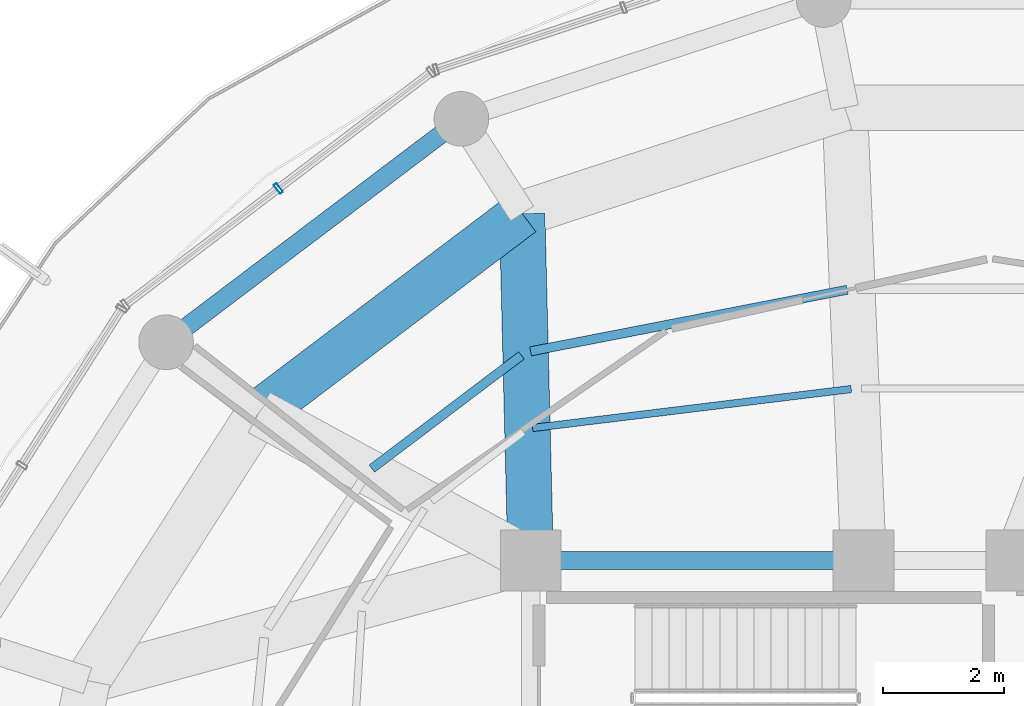
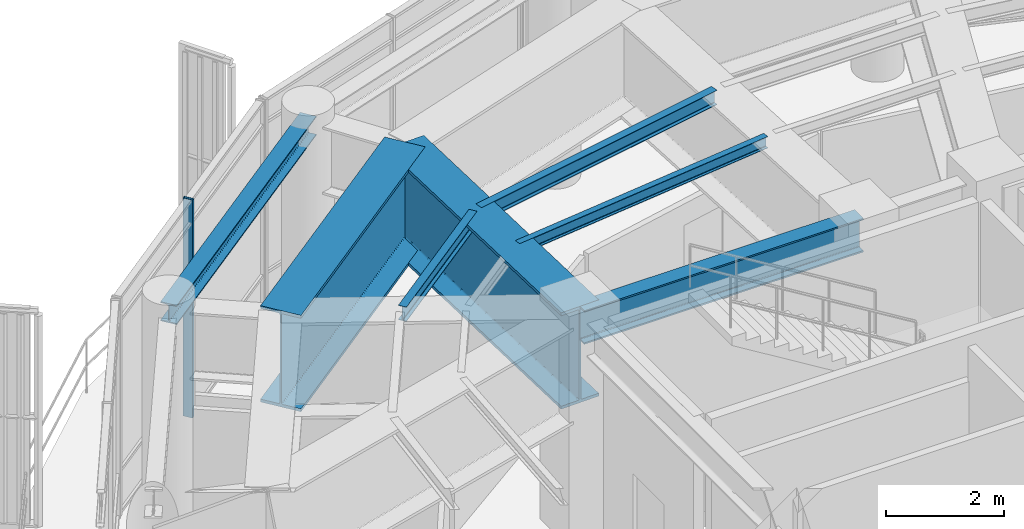
# One storey, part 9 of 23: 7 beams, 1 member, 1 element without a shape of its own.
"""IFC4 building model written with IfcOpenShell, lengths in metres."""

import ifcopenshell
import ifcopenshell.guid

model = None  # the IFC model being written
_history = None  # IfcOwnerHistory: only IFC2X3 demands one
_inside = {}  # id of a spatial element -> (the spatial element, [elements in it])
_under = {}  # id of a project, library or spatial element -> (it, [spatial elements below it])
_declared = {}  # id of a project -> (the project, [libraries it declares])
_typed = {}  # id of a type object -> (the type object, [elements of that type])
_made_of = {}  # id of a material, layer set ... -> (it, [elements and type objects made of it])


def new_model(schema):
    """Start an empty IFC model of exactly this schema.

    Asked for "IFC4X3", IfcOpenShell would pick the latest addendum, in which some entities
    have other attributes; the version numbers below select the first issue.
    IFC2X3 requires an IfcOwnerHistory on every rooted entity: one is made here for all.
    """
    global model, _history
    if schema == "IFC4X3":
        model = ifcopenshell.file(schema_version=(4, 3, 0, 0))
    else:
        model = ifcopenshell.file(schema=schema)
    _inside.clear()
    _under.clear()
    _declared.clear()
    _typed.clear()
    _made_of.clear()
    _history = None
    if model.schema == "IFC2X3":
        org = make("IfcOrganization", Name="unknown")
        user = make(
            "IfcPersonAndOrganization",
            ThePerson=make("IfcPerson", FamilyName="unknown"),
            TheOrganization=org,
        )
        app = make(
            "IfcApplication",
            ApplicationDeveloper=org,
            Version="unknown",
            ApplicationFullName="unknown",
            ApplicationIdentifier="unknown",
        )
        _history = make(
            "IfcOwnerHistory",
            OwningUser=user,
            OwningApplication=app,
            ChangeAction="ADDED",
            CreationDate=0,
        )
    return model


def make(cls, **values):
    """One entity of the class cls with the attributes given. An attribute that is None is left unset."""
    return model.create_entity(
        cls, **{name: value for name, value in values.items() if value is not None}
    )


def rooted(cls, **values):
    """An entity with a GlobalId (a new one), such as an element, a storey or a relation."""
    return make(cls, GlobalId=ifcopenshell.guid.new(), OwnerHistory=_history, **values)


def si_unit(unit_type, name, prefix=None):
    """IfcSIUnit, for example si_unit("LENGTHUNIT", "METRE", prefix="MILLI")."""
    return make("IfcSIUnit", UnitType=unit_type, Prefix=prefix, Name=name)


def assignment(units):
    """IfcUnitAssignment: the units of a project."""
    return None if units is None else make("IfcUnitAssignment", Units=units)


def point(xyz):
    """IfcCartesianPoint."""
    return None if xyz is None else make("IfcCartesianPoint", Coordinates=xyz)


def direction(xyz):
    """IfcDirection."""
    return None if xyz is None else make("IfcDirection", DirectionRatios=xyz)


def frame(location, z_axis=None, x_axis=None):
    """IfcAxis2Placement3D, a coordinate frame: its origin and axes. An axis left out is left unset."""
    return make(
        "IfcAxis2Placement3D",
        Location=point(location),
        Axis=direction(z_axis),
        RefDirection=direction(x_axis),
    )


def frame_2d(location, x_axis=None):
    """IfcAxis2Placement2D, a coordinate frame in the plane: its origin and x axis."""
    return make(
        "IfcAxis2Placement2D", Location=point(location), RefDirection=direction(x_axis)
    )


def origin():
    """The frame at (0, 0, 0) with its axes left unset."""
    return frame((0.0, 0.0, 0.0))


def origin_2d():
    """The frame at (0, 0) in the plane with its x axis left unset."""
    return frame_2d((0.0, 0.0))


def place(relative_to, where):
    """IfcLocalPlacement: puts the frame where relative to a parent placement (None: the world)."""
    return make(
        "IfcLocalPlacement", PlacementRelTo=relative_to, RelativePlacement=where
    )


def context(
    kind, dimensions, precision=None, world=None, true_north=None, identifier=None
):
    """IfcGeometricRepresentationContext, for example the 3D "Model" context."""
    return make(
        "IfcGeometricRepresentationContext",
        ContextIdentifier=identifier,
        ContextType=kind,
        CoordinateSpaceDimension=dimensions,
        Precision=precision,
        WorldCoordinateSystem=world,
        TrueNorth=true_north,
    )


def subcontext(parent, identifier, kind, view, scale=None):
    """IfcGeometricRepresentationSubContext, for example "Body" below "Model"."""
    return make(
        "IfcGeometricRepresentationSubContext",
        ContextIdentifier=identifier,
        ContextType=kind,
        ParentContext=parent,
        TargetScale=scale,
        TargetView=view,
    )


def project(units=None, contexts=None):
    """IfcProject with its units and contexts."""
    return rooted(
        "IfcProject",
        Name="project",
        RepresentationContexts=contexts,
        UnitsInContext=assignment(units),
    )


def spatial(cls, under=None, at=None, **own):
    """A site, building, storey or space (cls), placed at a placement, below another one or the project."""
    s = rooted(cls, ObjectPlacement=at, **own)
    if under is not None:
        _under.setdefault(under.id(), (under, []))[1].append(s)
    return s


def profile(cls, at=None, kind="AREA", **sizes):
    """A parametric profile (cls). Its sizes go by their IFC names, for example OverallWidth=200.0."""
    return make(cls, ProfileType=kind, Position=at, **sizes)


def hollow_rectangle(**sizes):
    """IfcRectangleHollowProfileDef."""
    return profile("IfcRectangleHollowProfileDef", **sizes)


def i_section(**sizes):
    """IfcIShapeProfileDef."""
    return profile("IfcIShapeProfileDef", **sizes)


def extrude(swept, where, along, depth):
    """IfcExtrudedAreaSolid: the profile swept, set in the frame where, extruded along a direction by depth."""
    return make(
        "IfcExtrudedAreaSolid",
        SweptArea=swept,
        Position=where,
        ExtrudedDirection=direction(along),
        Depth=depth,
    )


def shape(context_of_items, identifier, shape_type, items):
    """IfcShapeRepresentation: the items that make up one representation, for example the "Body"."""
    return make(
        "IfcShapeRepresentation",
        ContextOfItems=context_of_items,
        RepresentationIdentifier=identifier,
        RepresentationType=shape_type,
        Items=items,
    )


def material(Name=None, Category=None):
    """IfcMaterial."""
    return make("IfcMaterial", Name=Name, Category=Category)


def layer(
    of_material, thickness, ventilated=None, Name=None, Category=None, Priority=None
):
    """IfcMaterialLayer: one layer of a wall or slab, of a material (None: an air gap)."""
    return make(
        "IfcMaterialLayer",
        Material=of_material,
        LayerThickness=thickness,
        IsVentilated=ventilated,
        Name=Name,
        Category=Category,
        Priority=Priority,
    )


def layer_set(layers, Name=None):
    """IfcMaterialLayerSet."""
    return make("IfcMaterialLayerSet", MaterialLayers=layers, LayerSetName=Name)


def material_profile(
    of_material, cross_section, Name=None, Category=None, Priority=None
):
    """IfcMaterialProfile: a cross section and its material."""
    return make(
        "IfcMaterialProfile",
        Name=Name,
        Material=of_material,
        Profile=cross_section,
        Priority=Priority,
        Category=Category,
    )


def profile_set(profiles, Name=None, composite=None):
    """IfcMaterialProfileSet."""
    return make(
        "IfcMaterialProfileSet",
        Name=Name,
        MaterialProfiles=profiles,
        CompositeProfile=composite,
    )


def made_of(thing, what):
    """Note that an element or type object is made of a material, layer set ...; save() writes the relation."""
    if what is not None:
        _made_of.setdefault(what.id(), (what, []))[1].append(thing)
    return thing


def type_object(cls, material=None, **own):
    """A type object (cls), such as IfcWallType, which elements share."""
    return made_of(rooted(cls, **own), material)


def element(
    cls,
    number,
    at=None,
    inside=None,
    cuts=None,
    type_object=None,
    material=None,
    context=None,
    identifier="Body",
    shape_type=None,
    held_by="IfcProductDefinitionShape",
    body=None,
    shapes=None,
    **own,
):
    """One element of the class cls, such as IfcWall. Its Tag is "e" and its number.

    at: its placement. inside: the storey or other place that contains it. cuts: it is an
    opening in that element (IfcRelVoidsElement). A single representation is given by context,
    identifier, shape_type and body (its items); several are given by shapes. held_by: the class
    of the entity that holds the representations. save() writes the other relations.
    """
    e = rooted(cls, Tag="e%d" % number, ObjectPlacement=at, **own)
    if body is not None:
        shapes = [shape(context, identifier, shape_type, body)]
    if shapes is not None:
        e.Representation = make(held_by, Representations=shapes)
    if inside is not None:
        _inside.setdefault(inside.id(), (inside, []))[1].append(e)
    if cuts is not None:
        rooted(
            "IfcRelVoidsElement", RelatingBuildingElement=cuts, RelatedOpeningElement=e
        )
    if type_object is not None:
        _typed.setdefault(type_object.id(), (type_object, []))[1].append(e)
    return made_of(e, material)


def aggregate(whole, parts):
    """IfcRelAggregates: a whole, such as a stair, and the parts it consists of."""
    return rooted("IfcRelAggregates", RelatingObject=whole, RelatedObjects=parts)


def save(model, path):
    """Write the relations noted so far, then the file.

    IfcRelAggregates (storeys below a building ...), IfcRelContainedInSpatialStructure (elements
    in a storey), IfcRelDefinesByType, IfcRelAssociatesMaterial and IfcRelDeclares: one each for
    every whole, place, type object, material and project.
    """
    for whole, parts in _under.values():
        aggregate(whole, parts)
    for where, things in _inside.values():
        rooted(
            "IfcRelContainedInSpatialStructure",
            RelatedElements=things,
            RelatingStructure=where,
        )
    for kind, things in _typed.values():
        rooted("IfcRelDefinesByType", RelatedObjects=things, RelatingType=kind)
    for what, things in _made_of.values():
        rooted("IfcRelAssociatesMaterial", RelatedObjects=things, RelatingMaterial=what)
    for by, libraries in _declared.values():
        rooted("IfcRelDeclares", RelatingContext=by, RelatedDefinitions=libraries)
    model.write(path)


model = new_model("IFC4")

# Units and contexts
model_context = context("Model", 3, precision=1e-05, world=origin(), true_north=direction((0.0, 1.0)))
body_context = subcontext(model_context, "Body", "Model", "MODEL_VIEW")
ifc_project = project(units=[si_unit("LENGTHUNIT", "METRE"), si_unit("AREAUNIT", "SQUARE_METRE"), si_unit("VOLUMEUNIT", "CUBIC_METRE"), si_unit("PLANEANGLEUNIT", "RADIAN"), si_unit("MASSUNIT", "GRAM", prefix="KILO")], contexts=[model_context])

# Site, building, storey
site_placement = place(None, origin())
site = spatial("IfcSite", under=ifc_project, at=site_placement, CompositionType="ELEMENT")
building_placement = place(site_placement, origin())
building = spatial("IfcBuilding", under=site, at=building_placement, Name="Kelanora Arch Commons", CompositionType="ELEMENT")
storey_placement = place(building_placement, frame((0.0, 0.0, 293.699951171875)))
storey = spatial("IfcBuildingStorey", under=building, at=storey_placement, Name="L75", CompositionType="ELEMENT", Elevation=293.699951171875)

# Beams
ifc_material_1 = material(Name="Steel S355", Category="steel")
ifc_material_profile_1 = material_profile(ifc_material_1, i_section(OverallWidth=0.300048828125, OverallDepth=0.699951171875, WebThickness=0.01708984375, FlangeThickness=0.031982421875, FilletRadius=0.027099609375, at=origin_2d()), Name="HEB700")
ifc_profile_set_1 = profile_set([ifc_material_profile_1], Name="Steel S355")
beam_type_1 = type_object("IfcBeamType", Name="BM-CORE-HDR", PredefinedType="BEAM", material=ifc_profile_set_1)
beam_1_placement = place(storey_placement, frame((71.47998046875, 65.0, 4.18994140625), z_axis=(-1.0, 0.0, 0.0), x_axis=(0.0, -1.0, 0.0)))
element("IfcBeam", 1, at=beam_1_placement, inside=storey, type_object=beam_type_1, Name="Core Header Beam 07 L75", PredefinedType="BEAM", context=body_context, shape_type="SweptSolid", body=[
    extrude(i_section(OverallWidth=0.300048828125, OverallDepth=0.699951171875, WebThickness=0.01708984375, FlangeThickness=0.031982421875, FilletRadius=0.027099609375, at=origin_2d()), origin(), (0.0, 0.0, 1.0), 5.47998046875),
])
ifc_material_profile_2 = material_profile(ifc_material_1, i_section(OverallWidth=0.14990234375, OverallDepth=0.300048828125, WebThickness=0.007080078125, FlangeThickness=0.0107421875, FilletRadius=0.014892578125, at=origin_2d()), Name="IPE300")
ifc_profile_set_2 = profile_set([ifc_material_profile_2], Name="Steel S355")
beam_type_2 = type_object("IfcBeamType", Name="BM-JST-01", PredefinedType="JOIST", material=ifc_profile_set_2)
beam_2_placement = place(storey_placement, frame((71.21240234375, 69.4580078125, 4.39013671875), z_axis=(-0.981604860643, -0.190923800405, 0.0), x_axis=(0.190923800405, -0.981604860643, 0.0)))
element("IfcBeam", 2, at=beam_2_placement, inside=storey, type_object=beam_type_2, Name="Secondary Chord Joist BJB-10 L75", PredefinedType="JOIST", context=body_context, shape_type="SweptSolid", body=[
    extrude(i_section(OverallWidth=0.14990234375, OverallDepth=0.300048828125, WebThickness=0.007080078125, FlangeThickness=0.0107421875, FilletRadius=0.014892578125, at=origin_2d()), origin(), (0.0, 0.0, 1.0), 5.310546875),
])
beam_3_placement = place(storey_placement, frame((65.84814453125, 68.376708984375, 4.39013671875), z_axis=(-0.797441333972, -0.603396485632, 0.0), x_axis=(0.603396485632, -0.797441333972, 0.0)))
element("IfcBeam", 3, at=beam_3_placement, inside=storey, type_object=beam_type_2, Name="Secondary Chord Joist BJB-12 L75", PredefinedType="JOIST", context=body_context, shape_type="SweptSolid", body=[
    extrude(i_section(OverallWidth=0.14990234375, OverallDepth=0.300048828125, WebThickness=0.007080078125, FlangeThickness=0.0107421875, FilletRadius=0.014892578125, at=origin_2d()), origin(), (0.0, 0.0, 1.0), 3.0888671875),
])
ifc_material_profile_3 = material_profile(ifc_material_1, i_section(OverallWidth=0.1201171875, OverallDepth=0.239990234375, WebThickness=0.006103515625, FlangeThickness=0.009765625, FilletRadius=0.014892578125, at=origin_2d()), Name="IPE240")
ifc_profile_set_3 = profile_set([ifc_material_profile_3], Name="Steel S355")
beam_type_3 = type_object("IfcBeamType", Name="BM-JST-02", PredefinedType="JOIST", material=ifc_profile_set_3)
beam_4_placement = place(storey_placement, frame((71.279052734375, 67.8232421875, 4.420166015625), z_axis=(-0.992603319322, -0.121402843754, 0.0), x_axis=(0.121402843754, -0.992603319322, 0.0)))
element("IfcBeam", 4, at=beam_4_placement, inside=storey, type_object=beam_type_3, Name="Secondary Chord Joist BJA-10 L75", PredefinedType="JOIST", context=body_context, shape_type="SweptSolid", body=[
    extrude(i_section(OverallWidth=0.1201171875, OverallDepth=0.239990234375, WebThickness=0.006103515625, FlangeThickness=0.009765625, FilletRadius=0.014892578125, at=origin_2d()), origin(), (0.0, 0.0, 1.0), 5.286865234375),
])
ifc_material_profile_4 = material_profile(ifc_material_1, i_section(OverallWidth=0.300048828125, OverallDepth=0.39990234375, WebThickness=0.013427734375, FlangeThickness=0.02392578125, FilletRadius=0.027099609375, at=origin_2d()), Name="HEB400")
ifc_profile_set_4 = profile_set([ifc_material_profile_4], Name="Steel S355")
beam_type_4 = type_object("IfcBeamType", Name="BM-SPN-Z4", PredefinedType="SPANDREL", material=ifc_profile_set_4)
beam_5_placement = place(storey_placement, frame((64.860107421875, 72.272216796875, 4.320068359375), z_axis=(-0.797509460967, -0.603306439273, 0.0), x_axis=(0.603306439273, -0.797509460967, 0.0)))
element("IfcBeam", 5, at=beam_5_placement, inside=storey, type_object=beam_type_4, Name="Perimeter Spandrel Beam BS-12 L75", PredefinedType="SPANDREL", context=body_context, shape_type="SweptSolid", body=[
    extrude(i_section(OverallWidth=0.300048828125, OverallDepth=0.39990234375, WebThickness=0.013427734375, FlangeThickness=0.02392578125, FilletRadius=0.027099609375, at=origin_2d()), origin(), (0.0, 0.0, 1.0), 6.098388671875),
])
ifc_material_profile_5 = material_profile(ifc_material_1, i_section(OverallWidth=0.75, OverallDepth=2.0, WebThickness=0.034912109375, FlangeThickness=0.06005859375, FilletRadius=0.028076171875, at=origin_2d()), Name="PG2000x750")
ifc_profile_set_5 = profile_set([ifc_material_profile_5], Name="Steel S355")
beam_type_5 = type_object("IfcBeamType", Name="BM-XFER-SET", PredefinedType="USERDEFINED", material=ifc_profile_set_5)
beam_6_placement = place(storey_placement, frame((66.0, 65.0, 3.5400390625), z_axis=(-0.0244777504, 0.99970037498, 0.0), x_axis=(-0.99970037498, -0.0244777504, 0.0)))
element("IfcBeam", 6, at=beam_6_placement, inside=storey, type_object=beam_type_5, Name="Setback Radial Transfer Girder BRI-12 L75", ObjectType="TRANSFER_GIRDER", PredefinedType="USERDEFINED", context=body_context, shape_type="SweptSolid", body=[
    extrude(i_section(OverallWidth=0.75, OverallDepth=2.0, WebThickness=0.034912109375, FlangeThickness=0.06005859375, FilletRadius=0.028076171875, at=origin_2d()), origin(), (0.0, 0.0, 1.0), 5.715087890625),
])
beam_7_placement = place(storey_placement, frame((65.860107421875, 70.71337890625, 3.5400390625), z_axis=(-0.797441458309, -0.603396321309, 0.0), x_axis=(0.603396321309, -0.797441458309, 0.0)))
element("IfcBeam", 7, at=beam_7_placement, inside=storey, type_object=beam_type_5, Name="Setback Inner Transfer Ring BSI-12 L75", ObjectType="TRANSFER_GIRDER", PredefinedType="USERDEFINED", context=body_context, shape_type="SweptSolid", body=[
    extrude(i_section(OverallWidth=0.75, OverallDepth=2.0, WebThickness=0.034912109375, FlangeThickness=0.06005859375, FilletRadius=0.028076171875, at=origin_2d()), origin(), (0.0, 0.0, 1.0), 5.431396484375),
])

# Curtain wall, member
ifc_material_2 = material(Name="Terracotta ceramic-fritted low-E glass and aluminium", Category="masonry")
ifc_layer = layer(ifc_material_2, 0.22509765625)
ifc_layer_set = layer_set([ifc_layer], Name="Terracotta ceramic-fritted low-E glass and aluminium")
curtain_wall_type = type_object("IfcCurtainWallType", Name="CW-SYS-05", PredefinedType="NOTDEFINED", material=ifc_layer_set)
curtain_wall_placement = place(storey_placement, origin())
curtain_wall = element("IfcCurtainWall", 8, at=curtain_wall_placement, inside=storey, type_object=curtain_wall_type, Name="Unitised Curtain Wall L75-B06", PredefinedType="NOTDEFINED")
ifc_material_3 = material(Name="Powder-coated aluminium terracotta", Category="masonry")
ifc_material_profile_6 = material_profile(ifc_material_3, hollow_rectangle(XDim=0.179931640625, YDim=0.06005859375, WallThickness=0.0048828125, InnerFilletRadius=0.0048828125, OuterFilletRadius=0.010009765625, at=origin_2d()), Name="CWM180x60")
ifc_profile_set_6 = profile_set([ifc_material_profile_6], Name="Powder-coated aluminium terracotta")
member_type = type_object("IfcMemberType", Name="CWM-HVY", PredefinedType="MULLION", material=ifc_profile_set_6)
member_placement = place(storey_placement, frame((61.845947265625, 71.126708984375, 0.0), z_axis=(0.0, 0.0, 1.0), x_axis=(0.605284905243, -0.796008909174, 0.0)))
member = element("IfcMember", 9, at=member_placement, type_object=member_type, Name="CW-05 mullion 2", PredefinedType="MULLION", context=body_context, shape_type="SweptSolid", body=[
    extrude(hollow_rectangle(XDim=0.179931640625, YDim=0.06005859375, WallThickness=0.0048828125, InnerFilletRadius=0.0048828125, OuterFilletRadius=0.010009765625, at=origin_2d()), origin(), (0.0, 0.0, 1.0), 4.525146484375),
])
aggregate(curtain_wall, [member])

save(model, "model.ifc")
